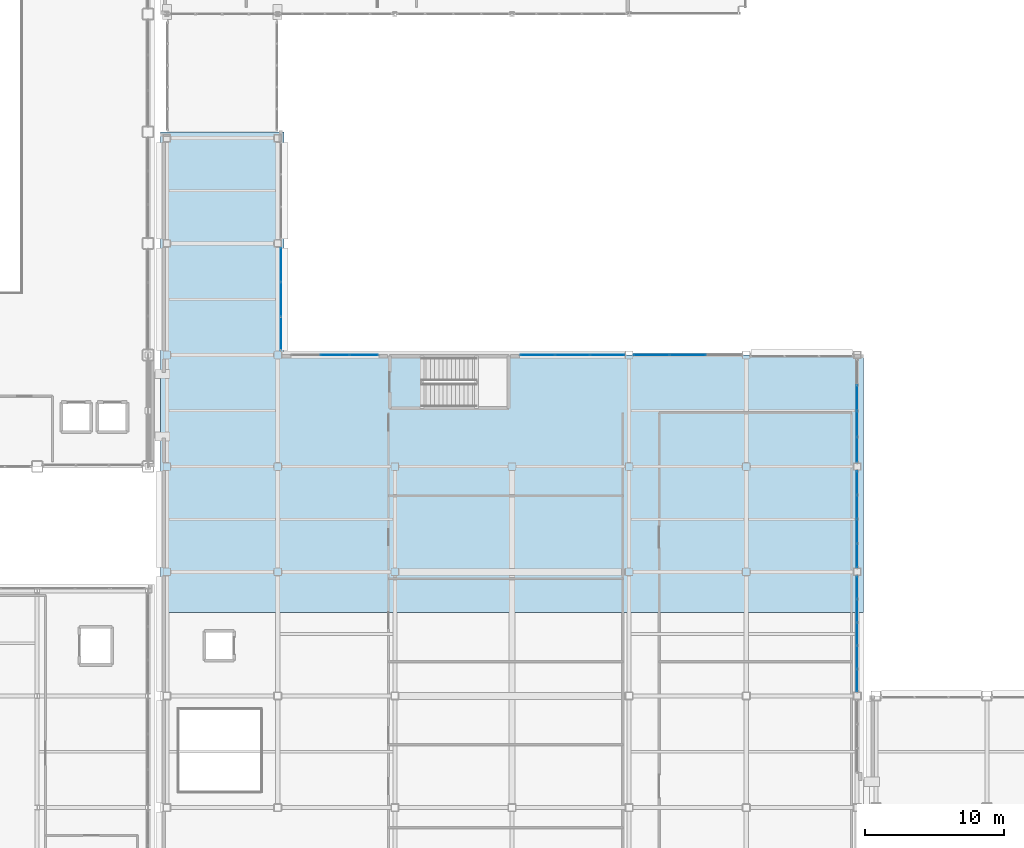
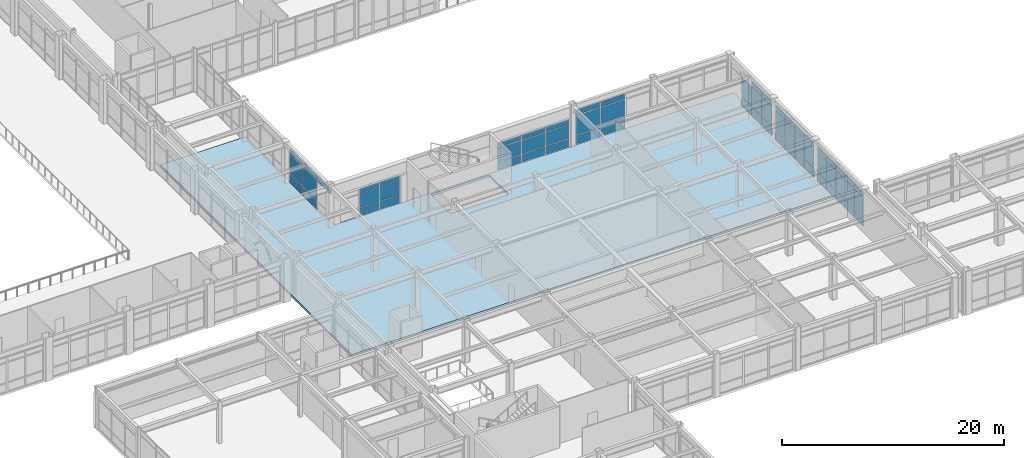
# One storey, part 119 of 154: 63 plates, 1 slab, 7 elements without a shape of their own.
"""IFC4 building model written with IfcOpenShell, lengths in metres."""

from ifc_helpers import new_model, si_unit, direction, frame, origin, origin_2d, place, context, subcontext, project, spatial, polyline, rectangle, outline, extrude, material, layer, layer_set, type_object, element, aggregate, save


model = new_model("IFC4")

# Units and contexts
model_context = context("Model", 3, precision=1e-05, world=origin(), true_north=direction((0.0, 1.0)))
body_context = subcontext(model_context, "Body", "Model", "MODEL_VIEW")
ifc_project = project(units=[si_unit("LENGTHUNIT", "METRE"), si_unit("AREAUNIT", "SQUARE_METRE"), si_unit("VOLUMEUNIT", "CUBIC_METRE"), si_unit("PLANEANGLEUNIT", "RADIAN"), si_unit("MASSUNIT", "GRAM", prefix="KILO")], contexts=[model_context])

# Site, building, storey
site_placement = place(None, origin())
site = spatial("IfcSite", under=ifc_project, at=site_placement, CompositionType="ELEMENT")
building_placement = place(site_placement, origin())
building = spatial("IfcBuilding", under=site, at=building_placement, Name="Kazehara Bluff Congress Hotel", CompositionType="ELEMENT")
storey_placement = place(building_placement, frame((0.0, 0.0, 10.199951171875)))
storey = spatial("IfcBuildingStorey", under=building, at=storey_placement, Name="L02", CompositionType="ELEMENT", Elevation=10.199951171875)

# Curtain wall, plates
ifc_material_1 = material(Name="Anodised aluminium", Category="aluminium")
ifc_layer_1 = layer(ifc_material_1, 0.159912109375)
ifc_layer_set_1 = layer_set([ifc_layer_1], Name="Anodised aluminium")
curtain_wall_type_1 = type_object("IfcCurtainWallType", Name="TP-CW-58", PredefinedType="NOTDEFINED", material=ifc_layer_set_1)
curtain_wall_1_placement = place(storey_placement, origin())
curtain_wall_1 = element("IfcCurtainWall", 1, at=curtain_wall_1_placement, inside=storey, type_object=curtain_wall_type_1, Name="L02 curtain wall CW-58 CW-V4-L02-X10920-3228", PredefinedType="NOTDEFINED")
ifc_material_2 = material(Name="Insulated low-E double glazing", Category="glass")
ifc_layer_2 = layer(ifc_material_2, 0.028076171875)
ifc_layer_set_2 = layer_set([ifc_layer_2], Name="Insulated low-E double glazing")
plate_type = type_object("IfcPlateType", Name="TP-CWP-01", PredefinedType="CURTAIN_PANEL", material=ifc_layer_set_2)
plate_1_placement = place(storey_placement, frame((109.199951171875, 33.126220703125, 0.06494140625), z_axis=(0.0, 0.0, 1.0), x_axis=(0.0, 1.0, 0.0)))
plate_1 = element("IfcPlate", 2, at=plate_1_placement, type_object=plate_type, Name="CW-58 panel 1.1", PredefinedType="CURTAIN_PANEL", context=body_context, shape_type="SweptSolid", body=[
    extrude(rectangle(XDim=1.572509765625, YDim=0.028076171875, at=origin_2d()), origin(), (0.0, 0.0, 1.0), 0.952392578125),
])
plate_2_placement = place(storey_placement, frame((109.199951171875, 33.126220703125, 1.08251953125), z_axis=(0.0, 0.0, 1.0), x_axis=(0.0, 1.0, 0.0)))
plate_2 = element("IfcPlate", 3, at=plate_2_placement, type_object=plate_type, Name="CW-58 panel 1.2", PredefinedType="CURTAIN_PANEL", context=body_context, shape_type="SweptSolid", body=[
    extrude(rectangle(XDim=1.572509765625, YDim=0.028076171875, at=origin_2d()), origin(), (0.0, 0.0, 1.0), 2.1201171875),
])
plate_3_placement = place(storey_placement, frame((109.199951171875, 33.126220703125, 3.267578125), z_axis=(0.0, 0.0, 1.0), x_axis=(0.0, 1.0, 0.0)))
plate_3 = element("IfcPlate", 4, at=plate_3_placement, type_object=plate_type, Name="CW-58 panel 1.3", PredefinedType="CURTAIN_PANEL", context=body_context, shape_type="SweptSolid", body=[
    extrude(rectangle(XDim=1.572509765625, YDim=0.028076171875, at=origin_2d()), origin(), (0.0, 0.0, 1.0), 0.552490234375),
])
plate_4_placement = place(storey_placement, frame((109.199951171875, 34.780029296875, 0.06494140625), z_axis=(0.0, 0.0, 1.0), x_axis=(0.0, 1.0, 0.0)))
plate_4 = element("IfcPlate", 5, at=plate_4_placement, type_object=plate_type, Name="CW-58 panel 2.1", PredefinedType="CURTAIN_PANEL", context=body_context, shape_type="SweptSolid", body=[
    extrude(rectangle(XDim=1.60498046875, YDim=0.028076171875, at=origin_2d()), origin(), (0.0, 0.0, 1.0), 0.952392578125),
])
plate_5_placement = place(storey_placement, frame((109.199951171875, 34.780029296875, 1.08251953125), z_axis=(0.0, 0.0, 1.0), x_axis=(0.0, 1.0, 0.0)))
plate_5 = element("IfcPlate", 6, at=plate_5_placement, type_object=plate_type, Name="CW-58 panel 2.2", PredefinedType="CURTAIN_PANEL", context=body_context, shape_type="SweptSolid", body=[
    extrude(rectangle(XDim=1.60498046875, YDim=0.028076171875, at=origin_2d()), origin(), (0.0, 0.0, 1.0), 2.1201171875),
])
plate_6_placement = place(storey_placement, frame((109.199951171875, 34.780029296875, 3.267578125), z_axis=(0.0, 0.0, 1.0), x_axis=(0.0, 1.0, 0.0)))
plate_6 = element("IfcPlate", 7, at=plate_6_placement, type_object=plate_type, Name="CW-58 panel 2.3", PredefinedType="CURTAIN_PANEL", context=body_context, shape_type="SweptSolid", body=[
    extrude(rectangle(XDim=1.60498046875, YDim=0.028076171875, at=origin_2d()), origin(), (0.0, 0.0, 1.0), 0.552490234375),
])
plate_7_placement = place(storey_placement, frame((109.199951171875, 36.449951171875, 0.06494140625), z_axis=(0.0, 0.0, 1.0), x_axis=(0.0, 1.0, 0.0)))
plate_7 = element("IfcPlate", 8, at=plate_7_placement, type_object=plate_type, Name="CW-58 panel 3.1", PredefinedType="CURTAIN_PANEL", context=body_context, shape_type="SweptSolid", body=[
    extrude(rectangle(XDim=1.60498046875, YDim=0.028076171875, at=origin_2d()), origin(), (0.0, 0.0, 1.0), 0.952392578125),
])
plate_8_placement = place(storey_placement, frame((109.199951171875, 36.449951171875, 1.08251953125), z_axis=(0.0, 0.0, 1.0), x_axis=(0.0, 1.0, 0.0)))
plate_8 = element("IfcPlate", 9, at=plate_8_placement, type_object=plate_type, Name="CW-58 panel 3.2", PredefinedType="CURTAIN_PANEL", context=body_context, shape_type="SweptSolid", body=[
    extrude(rectangle(XDim=1.60498046875, YDim=0.028076171875, at=origin_2d()), origin(), (0.0, 0.0, 1.0), 2.1201171875),
])
plate_9_placement = place(storey_placement, frame((109.199951171875, 36.449951171875, 3.267578125), z_axis=(0.0, 0.0, 1.0), x_axis=(0.0, 1.0, 0.0)))
plate_9 = element("IfcPlate", 10, at=plate_9_placement, type_object=plate_type, Name="CW-58 panel 3.3", PredefinedType="CURTAIN_PANEL", context=body_context, shape_type="SweptSolid", body=[
    extrude(rectangle(XDim=1.60498046875, YDim=0.028076171875, at=origin_2d()), origin(), (0.0, 0.0, 1.0), 0.552490234375),
])
plate_10_placement = place(storey_placement, frame((109.199951171875, 38.1201171875, 0.06494140625), z_axis=(0.0, 0.0, 1.0), x_axis=(0.0, 1.0, 0.0)))
plate_10 = element("IfcPlate", 11, at=plate_10_placement, type_object=plate_type, Name="CW-58 panel 4.1", PredefinedType="CURTAIN_PANEL", context=body_context, shape_type="SweptSolid", body=[
    extrude(rectangle(XDim=1.60498046875, YDim=0.028076171875, at=origin_2d()), origin(), (0.0, 0.0, 1.0), 0.952392578125),
])
plate_11_placement = place(storey_placement, frame((109.199951171875, 38.1201171875, 1.08251953125), z_axis=(0.0, 0.0, 1.0), x_axis=(0.0, 1.0, 0.0)))
plate_11 = element("IfcPlate", 12, at=plate_11_placement, type_object=plate_type, Name="CW-58 panel 4.2", PredefinedType="CURTAIN_PANEL", context=body_context, shape_type="SweptSolid", body=[
    extrude(rectangle(XDim=1.60498046875, YDim=0.028076171875, at=origin_2d()), origin(), (0.0, 0.0, 1.0), 2.1201171875),
])
plate_12_placement = place(storey_placement, frame((109.199951171875, 38.1201171875, 3.267578125), z_axis=(0.0, 0.0, 1.0), x_axis=(0.0, 1.0, 0.0)))
plate_12 = element("IfcPlate", 13, at=plate_12_placement, type_object=plate_type, Name="CW-58 panel 4.3", PredefinedType="CURTAIN_PANEL", context=body_context, shape_type="SweptSolid", body=[
    extrude(rectangle(XDim=1.60498046875, YDim=0.028076171875, at=origin_2d()), origin(), (0.0, 0.0, 1.0), 0.552490234375),
])
plate_13_placement = place(storey_placement, frame((109.199951171875, 39.773681640625, 0.06494140625), z_axis=(0.0, 0.0, 1.0), x_axis=(0.0, 1.0, 0.0)))
plate_13 = element("IfcPlate", 14, at=plate_13_placement, type_object=plate_type, Name="CW-58 panel 5.1", PredefinedType="CURTAIN_PANEL", context=body_context, shape_type="SweptSolid", body=[
    extrude(rectangle(XDim=1.572509765625, YDim=0.028076171875, at=origin_2d()), origin(), (0.0, 0.0, 1.0), 0.952392578125),
])
plate_14_placement = place(storey_placement, frame((109.199951171875, 39.773681640625, 1.08251953125), z_axis=(0.0, 0.0, 1.0), x_axis=(0.0, 1.0, 0.0)))
plate_14 = element("IfcPlate", 15, at=plate_14_placement, type_object=plate_type, Name="CW-58 panel 5.2", PredefinedType="CURTAIN_PANEL", context=body_context, shape_type="SweptSolid", body=[
    extrude(rectangle(XDim=1.572509765625, YDim=0.028076171875, at=origin_2d()), origin(), (0.0, 0.0, 1.0), 2.1201171875),
])
plate_15_placement = place(storey_placement, frame((109.199951171875, 39.773681640625, 3.267578125), z_axis=(0.0, 0.0, 1.0), x_axis=(0.0, 1.0, 0.0)))
plate_15 = element("IfcPlate", 16, at=plate_15_placement, type_object=plate_type, Name="CW-58 panel 5.3", PredefinedType="CURTAIN_PANEL", context=body_context, shape_type="SweptSolid", body=[
    extrude(rectangle(XDim=1.572509765625, YDim=0.028076171875, at=origin_2d()), origin(), (0.0, 0.0, 1.0), 0.552490234375),
])
aggregate(curtain_wall_1, [plate_1, plate_2, plate_3, plate_4, plate_5, plate_6, plate_7, plate_8, plate_9, plate_10, plate_11, plate_12, plate_13, plate_14, plate_15])

ifc_material_3 = material(Name="Anodised aluminium", Category="aluminium")
ifc_layer_3 = layer(ifc_material_3, 0.159912109375)
ifc_layer_set_3 = layer_set([ifc_layer_3], Name="Anodised aluminium")
curtain_wall_type_2 = type_object("IfcCurtainWallType", Name="TP-CW-59", PredefinedType="NOTDEFINED", material=ifc_layer_set_3)
curtain_wall_2_placement = place(storey_placement, origin())
curtain_wall_2 = element("IfcCurtainWall", 17, at=curtain_wall_2_placement, inside=storey, type_object=curtain_wall_type_2, Name="L02 curtain wall CW-59 CW-V4-L02-X10920-4118", PredefinedType="NOTDEFINED")
plate_16_placement = place(storey_placement, frame((109.199951171875, 42.066162109375, 0.06494140625), z_axis=(0.0, 0.0, 1.0), x_axis=(0.0, 1.0, 0.0)))
plate_16 = element("IfcPlate", 18, at=plate_16_placement, type_object=plate_type, Name="CW-59 panel 1.1", PredefinedType="CURTAIN_PANEL", context=body_context, shape_type="SweptSolid", body=[
    extrude(rectangle(XDim=1.652587890625, YDim=0.028076171875, at=origin_2d()), origin(), (0.0, 0.0, 1.0), 0.952392578125),
])
plate_17_placement = place(storey_placement, frame((109.199951171875, 42.066162109375, 1.08251953125), z_axis=(0.0, 0.0, 1.0), x_axis=(0.0, 1.0, 0.0)))
plate_17 = element("IfcPlate", 19, at=plate_17_placement, type_object=plate_type, Name="CW-59 panel 1.2", PredefinedType="CURTAIN_PANEL", context=body_context, shape_type="SweptSolid", body=[
    extrude(rectangle(XDim=1.652587890625, YDim=0.028076171875, at=origin_2d()), origin(), (0.0, 0.0, 1.0), 2.1201171875),
])
plate_18_placement = place(storey_placement, frame((109.199951171875, 42.066162109375, 3.267578125), z_axis=(0.0, 0.0, 1.0), x_axis=(0.0, 1.0, 0.0)))
plate_18 = element("IfcPlate", 20, at=plate_18_placement, type_object=plate_type, Name="CW-59 panel 1.3", PredefinedType="CURTAIN_PANEL", context=body_context, shape_type="SweptSolid", body=[
    extrude(rectangle(XDim=1.652587890625, YDim=0.028076171875, at=origin_2d()), origin(), (0.0, 0.0, 1.0), 0.552490234375),
])
plate_19_placement = place(storey_placement, frame((109.199951171875, 43.800048828125, 0.06494140625), z_axis=(0.0, 0.0, 1.0), x_axis=(0.0, 1.0, 0.0)))
plate_19 = element("IfcPlate", 21, at=plate_19_placement, type_object=plate_type, Name="CW-59 panel 2.1", PredefinedType="CURTAIN_PANEL", context=body_context, shape_type="SweptSolid", body=[
    extrude(rectangle(XDim=1.68505859375, YDim=0.028076171875, at=origin_2d()), origin(), (0.0, 0.0, 1.0), 0.952392578125),
])
plate_20_placement = place(storey_placement, frame((109.199951171875, 43.800048828125, 1.08251953125), z_axis=(0.0, 0.0, 1.0), x_axis=(0.0, 1.0, 0.0)))
plate_20 = element("IfcPlate", 22, at=plate_20_placement, type_object=plate_type, Name="CW-59 panel 2.2", PredefinedType="CURTAIN_PANEL", context=body_context, shape_type="SweptSolid", body=[
    extrude(rectangle(XDim=1.68505859375, YDim=0.028076171875, at=origin_2d()), origin(), (0.0, 0.0, 1.0), 2.1201171875),
])
plate_21_placement = place(storey_placement, frame((109.199951171875, 43.800048828125, 3.267578125), z_axis=(0.0, 0.0, 1.0), x_axis=(0.0, 1.0, 0.0)))
plate_21 = element("IfcPlate", 23, at=plate_21_placement, type_object=plate_type, Name="CW-59 panel 2.3", PredefinedType="CURTAIN_PANEL", context=body_context, shape_type="SweptSolid", body=[
    extrude(rectangle(XDim=1.68505859375, YDim=0.028076171875, at=origin_2d()), origin(), (0.0, 0.0, 1.0), 0.552490234375),
])
plate_22_placement = place(storey_placement, frame((109.199951171875, 45.550048828125, 0.06494140625), z_axis=(0.0, 0.0, 1.0), x_axis=(0.0, 1.0, 0.0)))
plate_22 = element("IfcPlate", 24, at=plate_22_placement, type_object=plate_type, Name="CW-59 panel 3.1", PredefinedType="CURTAIN_PANEL", context=body_context, shape_type="SweptSolid", body=[
    extrude(rectangle(XDim=1.68505859375, YDim=0.028076171875, at=origin_2d()), origin(), (0.0, 0.0, 1.0), 0.952392578125),
])
plate_23_placement = place(storey_placement, frame((109.199951171875, 45.550048828125, 1.08251953125), z_axis=(0.0, 0.0, 1.0), x_axis=(0.0, 1.0, 0.0)))
plate_23 = element("IfcPlate", 25, at=plate_23_placement, type_object=plate_type, Name="CW-59 panel 3.2", PredefinedType="CURTAIN_PANEL", context=body_context, shape_type="SweptSolid", body=[
    extrude(rectangle(XDim=1.68505859375, YDim=0.028076171875, at=origin_2d()), origin(), (0.0, 0.0, 1.0), 2.1201171875),
])
plate_24_placement = place(storey_placement, frame((109.199951171875, 45.550048828125, 3.267578125), z_axis=(0.0, 0.0, 1.0), x_axis=(0.0, 1.0, 0.0)))
plate_24 = element("IfcPlate", 26, at=plate_24_placement, type_object=plate_type, Name="CW-59 panel 3.3", PredefinedType="CURTAIN_PANEL", context=body_context, shape_type="SweptSolid", body=[
    extrude(rectangle(XDim=1.68505859375, YDim=0.028076171875, at=origin_2d()), origin(), (0.0, 0.0, 1.0), 0.552490234375),
])
plate_25_placement = place(storey_placement, frame((109.199951171875, 47.28369140625, 0.06494140625), z_axis=(0.0, 0.0, 1.0), x_axis=(0.0, 1.0, 0.0)))
plate_25 = element("IfcPlate", 27, at=plate_25_placement, type_object=plate_type, Name="CW-59 panel 4.1", PredefinedType="CURTAIN_PANEL", context=body_context, shape_type="SweptSolid", body=[
    extrude(rectangle(XDim=1.652587890625, YDim=0.028076171875, at=origin_2d()), origin(), (0.0, 0.0, 1.0), 0.952392578125),
])
plate_26_placement = place(storey_placement, frame((109.199951171875, 47.28369140625, 1.08251953125), z_axis=(0.0, 0.0, 1.0), x_axis=(0.0, 1.0, 0.0)))
plate_26 = element("IfcPlate", 28, at=plate_26_placement, type_object=plate_type, Name="CW-59 panel 4.2", PredefinedType="CURTAIN_PANEL", context=body_context, shape_type="SweptSolid", body=[
    extrude(rectangle(XDim=1.652587890625, YDim=0.028076171875, at=origin_2d()), origin(), (0.0, 0.0, 1.0), 2.1201171875),
])
plate_27_placement = place(storey_placement, frame((109.199951171875, 47.28369140625, 3.267578125), z_axis=(0.0, 0.0, 1.0), x_axis=(0.0, 1.0, 0.0)))
plate_27 = element("IfcPlate", 29, at=plate_27_placement, type_object=plate_type, Name="CW-59 panel 4.3", PredefinedType="CURTAIN_PANEL", context=body_context, shape_type="SweptSolid", body=[
    extrude(rectangle(XDim=1.652587890625, YDim=0.028076171875, at=origin_2d()), origin(), (0.0, 0.0, 1.0), 0.552490234375),
])
aggregate(curtain_wall_2, [plate_16, plate_17, plate_18, plate_19, plate_20, plate_21, plate_22, plate_23, plate_24, plate_25, plate_26, plate_27])

ifc_material_4 = material(Name="Anodised aluminium", Category="aluminium")
ifc_layer_4 = layer(ifc_material_4, 0.159912109375)
ifc_layer_set_4 = layer_set([ifc_layer_4], Name="Anodised aluminium")
curtain_wall_type_3 = type_object("IfcCurtainWallType", Name="TP-CW-60", PredefinedType="NOTDEFINED", material=ifc_layer_set_4)
curtain_wall_3_placement = place(storey_placement, origin())
curtain_wall_3 = element("IfcCurtainWall", 30, at=curtain_wall_3_placement, inside=storey, type_object=curtain_wall_type_3, Name="L02 curtain wall CW-60 CW-V4-L02-X10920-4872", PredefinedType="NOTDEFINED")
plate_28_placement = place(storey_placement, frame((109.199951171875, 49.672607421875, 0.06494140625), z_axis=(0.0, 0.0, 1.0), x_axis=(0.0, 1.0, 0.0)))
plate_28 = element("IfcPlate", 31, at=plate_28_placement, type_object=plate_type, Name="CW-60 panel 1.1", PredefinedType="CURTAIN_PANEL", context=body_context, shape_type="SweptSolid", body=[
    extrude(rectangle(XDim=1.764892578125, YDim=0.028076171875, at=origin_2d()), origin(), (0.0, 0.0, 1.0), 0.952392578125),
])
plate_29_placement = place(storey_placement, frame((109.199951171875, 49.672607421875, 1.08251953125), z_axis=(0.0, 0.0, 1.0), x_axis=(0.0, 1.0, 0.0)))
plate_29 = element("IfcPlate", 32, at=plate_29_placement, type_object=plate_type, Name="CW-60 panel 1.2", PredefinedType="CURTAIN_PANEL", context=body_context, shape_type="SweptSolid", body=[
    extrude(rectangle(XDim=1.764892578125, YDim=0.028076171875, at=origin_2d()), origin(), (0.0, 0.0, 1.0), 2.1201171875),
])
plate_30_placement = place(storey_placement, frame((109.199951171875, 49.672607421875, 3.267578125), z_axis=(0.0, 0.0, 1.0), x_axis=(0.0, 1.0, 0.0)))
plate_30 = element("IfcPlate", 33, at=plate_30_placement, type_object=plate_type, Name="CW-60 panel 1.3", PredefinedType="CURTAIN_PANEL", context=body_context, shape_type="SweptSolid", body=[
    extrude(rectangle(XDim=1.764892578125, YDim=0.028076171875, at=origin_2d()), origin(), (0.0, 0.0, 1.0), 0.552490234375),
])
plate_31_placement = place(storey_placement, frame((109.199951171875, 51.518798828125, 0.06494140625), z_axis=(0.0, 0.0, 1.0), x_axis=(0.0, 1.0, 0.0)))
plate_31 = element("IfcPlate", 34, at=plate_31_placement, type_object=plate_type, Name="CW-60 panel 2.1", PredefinedType="CURTAIN_PANEL", context=body_context, shape_type="SweptSolid", body=[
    extrude(rectangle(XDim=1.797607421875, YDim=0.028076171875, at=origin_2d()), origin(), (0.0, 0.0, 1.0), 0.952392578125),
])
plate_32_placement = place(storey_placement, frame((109.199951171875, 51.518798828125, 1.08251953125), z_axis=(0.0, 0.0, 1.0), x_axis=(0.0, 1.0, 0.0)))
plate_32 = element("IfcPlate", 35, at=plate_32_placement, type_object=plate_type, Name="CW-60 panel 2.2", PredefinedType="CURTAIN_PANEL", context=body_context, shape_type="SweptSolid", body=[
    extrude(rectangle(XDim=1.797607421875, YDim=0.028076171875, at=origin_2d()), origin(), (0.0, 0.0, 1.0), 2.1201171875),
])
plate_33_placement = place(storey_placement, frame((109.199951171875, 51.518798828125, 3.267578125), z_axis=(0.0, 0.0, 1.0), x_axis=(0.0, 1.0, 0.0)))
plate_33 = element("IfcPlate", 36, at=plate_33_placement, type_object=plate_type, Name="CW-60 panel 2.3", PredefinedType="CURTAIN_PANEL", context=body_context, shape_type="SweptSolid", body=[
    extrude(rectangle(XDim=1.797607421875, YDim=0.028076171875, at=origin_2d()), origin(), (0.0, 0.0, 1.0), 0.552490234375),
])
plate_34_placement = place(storey_placement, frame((109.199951171875, 53.38134765625, 0.06494140625), z_axis=(0.0, 0.0, 1.0), x_axis=(0.0, 1.0, 0.0)))
plate_34 = element("IfcPlate", 37, at=plate_34_placement, type_object=plate_type, Name="CW-60 panel 3.1", PredefinedType="CURTAIN_PANEL", context=body_context, shape_type="SweptSolid", body=[
    extrude(rectangle(XDim=1.797607421875, YDim=0.028076171875, at=origin_2d()), origin(), (0.0, 0.0, 1.0), 0.952392578125),
])
plate_35_placement = place(storey_placement, frame((109.199951171875, 53.38134765625, 1.08251953125), z_axis=(0.0, 0.0, 1.0), x_axis=(0.0, 1.0, 0.0)))
plate_35 = element("IfcPlate", 38, at=plate_35_placement, type_object=plate_type, Name="CW-60 panel 3.2", PredefinedType="CURTAIN_PANEL", context=body_context, shape_type="SweptSolid", body=[
    extrude(rectangle(XDim=1.797607421875, YDim=0.028076171875, at=origin_2d()), origin(), (0.0, 0.0, 1.0), 2.1201171875),
])
aggregate(curtain_wall_3, [plate_28, plate_29, plate_30, plate_31, plate_32, plate_33, plate_34, plate_35])

ifc_material_5 = material(Name="Anodised aluminium", Category="aluminium")
ifc_layer_5 = layer(ifc_material_5, 0.159912109375)
ifc_layer_set_5 = layer_set([ifc_layer_5], Name="Anodised aluminium")
curtain_wall_type_4 = type_object("IfcCurtainWallType", Name="TP-CW-72", PredefinedType="NOTDEFINED", material=ifc_layer_set_5)
curtain_wall_4_placement = place(storey_placement, origin())
curtain_wall_4 = element("IfcCurtainWall", 39, at=curtain_wall_4_placement, inside=storey, type_object=curtain_wall_type_4, Name="L02 curtain wall CW-72 CW-V4-L02-Y5645-6860", PredefinedType="NOTDEFINED")
plate_36_placement = place(storey_placement, frame((71.75, 56.449951171875, 0.06005859375), z_axis=(0.0, 0.0, 1.0), x_axis=(1.0, 0.0, 0.0)))
plate_36 = element("IfcPlate", 40, at=plate_36_placement, type_object=plate_type, Name="CW-72 panel 2.1", PredefinedType="CURTAIN_PANEL", context=body_context, shape_type="SweptSolid", body=[
    extrude(rectangle(XDim=2.0400390625, YDim=0.028076171875, at=origin_2d()), origin(), (0.0, 0.0, 1.0), 0.85009765625),
])
plate_37_placement = place(storey_placement, frame((71.75, 56.449951171875, 0.97021484375), z_axis=(0.0, 0.0, 1.0), x_axis=(1.0, 0.0, 0.0)))
plate_37 = element("IfcPlate", 41, at=plate_37_placement, type_object=plate_type, Name="CW-72 panel 2.2", PredefinedType="CURTAIN_PANEL", context=body_context, shape_type="SweptSolid", body=[
    extrude(rectangle(XDim=2.0400390625, YDim=0.028076171875, at=origin_2d()), origin(), (0.0, 0.0, 1.0), 1.485107421875),
])
plate_38_placement = place(storey_placement, frame((71.75, 56.449951171875, 2.51513671875), z_axis=(0.0, 0.0, 1.0), x_axis=(1.0, 0.0, 0.0)))
plate_38 = element("IfcPlate", 42, at=plate_38_placement, type_object=plate_type, Name="CW-72 panel 2.3", PredefinedType="CURTAIN_PANEL", context=body_context, shape_type="SweptSolid", body=[
    extrude(rectangle(XDim=2.0400390625, YDim=0.028076171875, at=origin_2d()), origin(), (0.0, 0.0, 1.0), 0.56005859375),
])
plate_39_placement = place(storey_placement, frame((73.8349609375, 56.449951171875, 0.06005859375), z_axis=(0.0, 0.0, 1.0), x_axis=(1.0, 0.0, 0.0)))
plate_39 = element("IfcPlate", 43, at=plate_39_placement, type_object=plate_type, Name="CW-72 panel 3.1", PredefinedType="CURTAIN_PANEL", context=body_context, shape_type="SweptSolid", body=[
    extrude(rectangle(XDim=2.010009765625, YDim=0.028076171875, at=origin_2d()), origin(), (0.0, 0.0, 1.0), 0.85009765625),
])
plate_40_placement = place(storey_placement, frame((73.8349609375, 56.449951171875, 0.97021484375), z_axis=(0.0, 0.0, 1.0), x_axis=(1.0, 0.0, 0.0)))
plate_40 = element("IfcPlate", 44, at=plate_40_placement, type_object=plate_type, Name="CW-72 panel 3.2", PredefinedType="CURTAIN_PANEL", context=body_context, shape_type="SweptSolid", body=[
    extrude(rectangle(XDim=2.010009765625, YDim=0.028076171875, at=origin_2d()), origin(), (0.0, 0.0, 1.0), 1.485107421875),
])
plate_41_placement = place(storey_placement, frame((73.8349609375, 56.449951171875, 2.51513671875), z_axis=(0.0, 0.0, 1.0), x_axis=(1.0, 0.0, 0.0)))
plate_41 = element("IfcPlate", 45, at=plate_41_placement, type_object=plate_type, Name="CW-72 panel 3.3", PredefinedType="CURTAIN_PANEL", context=body_context, shape_type="SweptSolid", body=[
    extrude(rectangle(XDim=2.010009765625, YDim=0.028076171875, at=origin_2d()), origin(), (0.0, 0.0, 1.0), 0.56005859375),
])
aggregate(curtain_wall_4, [plate_36, plate_37, plate_38, plate_39, plate_40, plate_41])

ifc_material_6 = material(Name="Anodised aluminium", Category="aluminium")
ifc_layer_6 = layer(ifc_material_6, 0.159912109375)
ifc_layer_set_6 = layer_set([ifc_layer_6], Name="Anodised aluminium")
curtain_wall_type_5 = type_object("IfcCurtainWallType", Name="TP-CW-73", PredefinedType="NOTDEFINED", material=ifc_layer_set_6)
curtain_wall_5_placement = place(storey_placement, origin())
curtain_wall_5 = element("IfcCurtainWall", 46, at=curtain_wall_5_placement, inside=storey, type_object=curtain_wall_type_5, Name="L02 curtain wall CW-73 CW-V4-L02-Y5645-8500", PredefinedType="NOTDEFINED")
plate_42_placement = place(storey_placement, frame((86.27880859375, 56.449951171875, 0.06494140625), z_axis=(0.0, 0.0, 1.0), x_axis=(1.0, 0.0, 0.0)))
plate_42 = element("IfcPlate", 47, at=plate_42_placement, type_object=plate_type, Name="CW-73 panel 1.1", PredefinedType="CURTAIN_PANEL", context=body_context, shape_type="SweptSolid", body=[
    extrude(rectangle(XDim=2.427490234375, YDim=0.028076171875, at=origin_2d()), origin(), (0.0, 0.0, 1.0), 0.842529296875),
])
plate_43_placement = place(storey_placement, frame((86.27880859375, 56.449951171875, 0.97265625), z_axis=(0.0, 0.0, 1.0), x_axis=(1.0, 0.0, 0.0)))
plate_43 = element("IfcPlate", 48, at=plate_43_placement, type_object=plate_type, Name="CW-73 panel 1.2", PredefinedType="CURTAIN_PANEL", context=body_context, shape_type="SweptSolid", body=[
    extrude(rectangle(XDim=2.427490234375, YDim=0.028076171875, at=origin_2d()), origin(), (0.0, 0.0, 1.0), 1.47998046875),
])
plate_44_placement = place(storey_placement, frame((86.27880859375, 56.449951171875, 2.517578125), z_axis=(0.0, 0.0, 1.0), x_axis=(1.0, 0.0, 0.0)))
plate_44 = element("IfcPlate", 49, at=plate_44_placement, type_object=plate_type, Name="CW-73 panel 1.3", PredefinedType="CURTAIN_PANEL", context=body_context, shape_type="SweptSolid", body=[
    extrude(rectangle(XDim=2.427490234375, YDim=0.028076171875, at=origin_2d()), origin(), (0.0, 0.0, 1.0), 0.552490234375),
])
plate_45_placement = place(storey_placement, frame((88.78759765625, 56.449951171875, 0.06494140625), z_axis=(0.0, 0.0, 1.0), x_axis=(1.0, 0.0, 0.0)))
plate_45 = element("IfcPlate", 50, at=plate_45_placement, type_object=plate_type, Name="CW-73 panel 2.1", PredefinedType="CURTAIN_PANEL", context=body_context, shape_type="SweptSolid", body=[
    extrude(rectangle(XDim=2.4599609375, YDim=0.028076171875, at=origin_2d()), origin(), (0.0, 0.0, 1.0), 0.842529296875),
])
plate_46_placement = place(storey_placement, frame((88.78759765625, 56.449951171875, 0.97265625), z_axis=(0.0, 0.0, 1.0), x_axis=(1.0, 0.0, 0.0)))
plate_46 = element("IfcPlate", 51, at=plate_46_placement, type_object=plate_type, Name="CW-73 panel 2.2", PredefinedType="CURTAIN_PANEL", context=body_context, shape_type="SweptSolid", body=[
    extrude(rectangle(XDim=2.4599609375, YDim=0.028076171875, at=origin_2d()), origin(), (0.0, 0.0, 1.0), 1.47998046875),
])
plate_47_placement = place(storey_placement, frame((88.78759765625, 56.449951171875, 2.517578125), z_axis=(0.0, 0.0, 1.0), x_axis=(1.0, 0.0, 0.0)))
plate_47 = element("IfcPlate", 52, at=plate_47_placement, type_object=plate_type, Name="CW-73 panel 2.3", PredefinedType="CURTAIN_PANEL", context=body_context, shape_type="SweptSolid", body=[
    extrude(rectangle(XDim=2.4599609375, YDim=0.028076171875, at=origin_2d()), origin(), (0.0, 0.0, 1.0), 0.552490234375),
])
plate_48_placement = place(storey_placement, frame((91.296142578125, 56.449951171875, 0.06494140625), z_axis=(0.0, 0.0, 1.0), x_axis=(1.0, 0.0, 0.0)))
plate_48 = element("IfcPlate", 53, at=plate_48_placement, type_object=plate_type, Name="CW-73 panel 3.1", PredefinedType="CURTAIN_PANEL", context=body_context, shape_type="SweptSolid", body=[
    extrude(rectangle(XDim=2.427490234375, YDim=0.028076171875, at=origin_2d()), origin(), (0.0, 0.0, 1.0), 0.842529296875),
])
plate_49_placement = place(storey_placement, frame((91.296142578125, 56.449951171875, 0.97265625), z_axis=(0.0, 0.0, 1.0), x_axis=(1.0, 0.0, 0.0)))
plate_49 = element("IfcPlate", 54, at=plate_49_placement, type_object=plate_type, Name="CW-73 panel 3.2", PredefinedType="CURTAIN_PANEL", context=body_context, shape_type="SweptSolid", body=[
    extrude(rectangle(XDim=2.427490234375, YDim=0.028076171875, at=origin_2d()), origin(), (0.0, 0.0, 1.0), 1.47998046875),
])
plate_50_placement = place(storey_placement, frame((91.296142578125, 56.449951171875, 2.517578125), z_axis=(0.0, 0.0, 1.0), x_axis=(1.0, 0.0, 0.0)))
plate_50 = element("IfcPlate", 55, at=plate_50_placement, type_object=plate_type, Name="CW-73 panel 3.3", PredefinedType="CURTAIN_PANEL", context=body_context, shape_type="SweptSolid", body=[
    extrude(rectangle(XDim=2.427490234375, YDim=0.028076171875, at=origin_2d()), origin(), (0.0, 0.0, 1.0), 0.552490234375),
])
aggregate(curtain_wall_5, [plate_42, plate_43, plate_44, plate_45, plate_46, plate_47, plate_48, plate_49, plate_50])

ifc_material_7 = material(Name="Anodised aluminium", Category="aluminium")
ifc_layer_7 = layer(ifc_material_7, 0.159912109375)
ifc_layer_set_7 = layer_set([ifc_layer_7], Name="Anodised aluminium")
curtain_wall_type_6 = type_object("IfcCurtainWallType", Name="TP-CW-74", PredefinedType="NOTDEFINED", material=ifc_layer_set_7)
curtain_wall_6_placement = place(storey_placement, origin())
curtain_wall_6 = element("IfcCurtainWall", 56, at=curtain_wall_6_placement, inside=storey, type_object=curtain_wall_type_6, Name="L02 curtain wall CW-74 CW-V4-L02-Y5645-9312", PredefinedType="NOTDEFINED")
plate_51_placement = place(storey_placement, frame((94.449462890625, 56.449951171875, 0.06494140625), z_axis=(0.0, 0.0, 1.0), x_axis=(1.0, 0.0, 0.0)))
plate_51 = element("IfcPlate", 57, at=plate_51_placement, type_object=plate_type, Name="CW-74 panel 1.1", PredefinedType="CURTAIN_PANEL", context=body_context, shape_type="SweptSolid", body=[
    extrude(rectangle(XDim=2.519287109375, YDim=0.028076171875, at=origin_2d()), origin(), (0.0, 0.0, 1.0), 0.952392578125),
])
plate_52_placement = place(storey_placement, frame((94.449462890625, 56.449951171875, 1.08251953125), z_axis=(0.0, 0.0, 1.0), x_axis=(1.0, 0.0, 0.0)))
plate_52 = element("IfcPlate", 58, at=plate_52_placement, type_object=plate_type, Name="CW-74 panel 1.2", PredefinedType="CURTAIN_PANEL", context=body_context, shape_type="SweptSolid", body=[
    extrude(rectangle(XDim=2.519287109375, YDim=0.028076171875, at=origin_2d()), origin(), (0.0, 0.0, 1.0), 2.1201171875),
])
plate_53_placement = place(storey_placement, frame((94.449462890625, 56.449951171875, 3.267578125), z_axis=(0.0, 0.0, 1.0), x_axis=(1.0, 0.0, 0.0)))
plate_53 = element("IfcPlate", 59, at=plate_53_placement, type_object=plate_type, Name="CW-74 panel 1.3", PredefinedType="CURTAIN_PANEL", context=body_context, shape_type="SweptSolid", body=[
    extrude(rectangle(XDim=2.519287109375, YDim=0.028076171875, at=origin_2d()), origin(), (0.0, 0.0, 1.0), 0.552490234375),
])
plate_54_placement = place(storey_placement, frame((97.050048828125, 56.449951171875, 0.06494140625), z_axis=(0.0, 0.0, 1.0), x_axis=(1.0, 0.0, 0.0)))
plate_54 = element("IfcPlate", 60, at=plate_54_placement, type_object=plate_type, Name="CW-74 panel 2.1", PredefinedType="CURTAIN_PANEL", context=body_context, shape_type="SweptSolid", body=[
    extrude(rectangle(XDim=2.5517578125, YDim=0.028076171875, at=origin_2d()), origin(), (0.0, 0.0, 1.0), 0.952392578125),
])
plate_55_placement = place(storey_placement, frame((97.050048828125, 56.449951171875, 1.08251953125), z_axis=(0.0, 0.0, 1.0), x_axis=(1.0, 0.0, 0.0)))
plate_55 = element("IfcPlate", 61, at=plate_55_placement, type_object=plate_type, Name="CW-74 panel 2.2", PredefinedType="CURTAIN_PANEL", context=body_context, shape_type="SweptSolid", body=[
    extrude(rectangle(XDim=2.5517578125, YDim=0.028076171875, at=origin_2d()), origin(), (0.0, 0.0, 1.0), 2.1201171875),
])
plate_56_placement = place(storey_placement, frame((97.050048828125, 56.449951171875, 3.267578125), z_axis=(0.0, 0.0, 1.0), x_axis=(1.0, 0.0, 0.0)))
plate_56 = element("IfcPlate", 62, at=plate_56_placement, type_object=plate_type, Name="CW-74 panel 2.3", PredefinedType="CURTAIN_PANEL", context=body_context, shape_type="SweptSolid", body=[
    extrude(rectangle(XDim=2.5517578125, YDim=0.028076171875, at=origin_2d()), origin(), (0.0, 0.0, 1.0), 0.552490234375),
])
aggregate(curtain_wall_6, [plate_51, plate_52, plate_53, plate_54, plate_55, plate_56])

ifc_material_8 = material(Name="Anodised aluminium", Category="aluminium")
ifc_layer_8 = layer(ifc_material_8, 0.159912109375)
ifc_layer_set_8 = layer_set([ifc_layer_8], Name="Anodised aluminium")
curtain_wall_type_7 = type_object("IfcCurtainWallType", Name="TP-CW-140", PredefinedType="NOTDEFINED", material=ifc_layer_set_8)
curtain_wall_7_placement = place(storey_placement, origin())
curtain_wall_7 = element("IfcCurtainWall", 63, at=curtain_wall_7_placement, inside=storey, type_object=curtain_wall_type_7, Name="L02 curtain wall CW-140 CW-ENC-V4-L02-6788-6045", PredefinedType="NOTDEFINED")
plate_57_placement = place(storey_placement, frame((67.8798828125, 62.9169921875, 0.06494140625), z_axis=(0.0, 0.0, 1.0), x_axis=(0.0, -1.0, 0.0)))
plate_57 = element("IfcPlate", 64, at=plate_57_placement, type_object=plate_type, Name="CW-140 panel 1.1", PredefinedType="CURTAIN_PANEL", context=body_context, shape_type="SweptSolid", body=[
    extrude(rectangle(XDim=2.3857421875, YDim=0.028076171875, at=origin_2d()), origin(), (0.0, 0.0, 1.0), 0.952392578125),
])
plate_58_placement = place(storey_placement, frame((67.8798828125, 62.9169921875, 1.08251953125), z_axis=(0.0, 0.0, 1.0), x_axis=(0.0, -1.0, 0.0)))
plate_58 = element("IfcPlate", 65, at=plate_58_placement, type_object=plate_type, Name="CW-140 panel 1.2", PredefinedType="CURTAIN_PANEL", context=body_context, shape_type="SweptSolid", body=[
    extrude(rectangle(XDim=2.3857421875, YDim=0.028076171875, at=origin_2d()), origin(), (0.0, 0.0, 1.0), 2.1201171875),
])
plate_59_placement = place(storey_placement, frame((67.8798828125, 62.9169921875, 3.267578125), z_axis=(0.0, 0.0, 1.0), x_axis=(0.0, -1.0, 0.0)))
plate_59 = element("IfcPlate", 66, at=plate_59_placement, type_object=plate_type, Name="CW-140 panel 1.3", PredefinedType="CURTAIN_PANEL", context=body_context, shape_type="SweptSolid", body=[
    extrude(rectangle(XDim=2.3857421875, YDim=0.028076171875, at=origin_2d()), origin(), (0.0, 0.0, 1.0), 0.552490234375),
])
plate_60_placement = place(storey_placement, frame((67.8798828125, 60.449951171875, 0.06494140625), z_axis=(0.0, 0.0, 1.0), x_axis=(0.0, -1.0, 0.0)))
plate_60 = element("IfcPlate", 67, at=plate_60_placement, type_object=plate_type, Name="CW-140 panel 2.1", PredefinedType="CURTAIN_PANEL", context=body_context, shape_type="SweptSolid", body=[
    extrude(rectangle(XDim=2.418212890625, YDim=0.028076171875, at=origin_2d()), origin(), (0.0, 0.0, 1.0), 0.952392578125),
])
plate_61_placement = place(storey_placement, frame((67.8798828125, 60.449951171875, 1.08251953125), z_axis=(0.0, 0.0, 1.0), x_axis=(0.0, -1.0, 0.0)))
plate_61 = element("IfcPlate", 68, at=plate_61_placement, type_object=plate_type, Name="CW-140 panel 2.2", PredefinedType="CURTAIN_PANEL", context=body_context, shape_type="SweptSolid", body=[
    extrude(rectangle(XDim=2.418212890625, YDim=0.028076171875, at=origin_2d()), origin(), (0.0, 0.0, 1.0), 2.1201171875),
])
plate_62_placement = place(storey_placement, frame((67.8798828125, 60.449951171875, 3.267578125), z_axis=(0.0, 0.0, 1.0), x_axis=(0.0, -1.0, 0.0)))
plate_62 = element("IfcPlate", 69, at=plate_62_placement, type_object=plate_type, Name="CW-140 panel 2.3", PredefinedType="CURTAIN_PANEL", context=body_context, shape_type="SweptSolid", body=[
    extrude(rectangle(XDim=2.418212890625, YDim=0.028076171875, at=origin_2d()), origin(), (0.0, 0.0, 1.0), 0.552490234375),
])
plate_63_placement = place(storey_placement, frame((67.8798828125, 57.98291015625, 3.267578125), z_axis=(0.0, 0.0, 1.0), x_axis=(0.0, -1.0, 0.0)))
plate_63 = element("IfcPlate", 70, at=plate_63_placement, type_object=plate_type, Name="CW-140 panel 3.3", PredefinedType="CURTAIN_PANEL", context=body_context, shape_type="SweptSolid", body=[
    extrude(rectangle(XDim=2.3857421875, YDim=0.028076171875, at=origin_2d()), origin(), (0.0, 0.0, 1.0), 0.552490234375),
])
aggregate(curtain_wall_7, [plate_57, plate_58, plate_59, plate_60, plate_61, plate_62, plate_63])

# Slab
ifc_material_9 = material(Name="Concrete C36/45", Category="concrete")
ifc_layer_9 = layer(ifc_material_9, 0.25)
ifc_layer_set_9 = layer_set([ifc_layer_9], Name="Concrete C36/45")
slab_type = type_object("IfcSlabType", Name="TP-SL-250", PredefinedType="FLOOR", material=ifc_layer_set_9)
slab_placement = place(storey_placement, frame((0.0, 0.0, -0.25)))
element("IfcSlab", 71, at=slab_placement, inside=storey, type_object=slab_type, Name="L02 V4 composite floor slab N", PredefinedType="FLOOR", context=body_context, shape_type="SweptSolid", body=[
    extrude(outline(polyline([(59.25, 72.449951171875), (68.10009765625, 72.449951171875), (68.10009765625, 56.449951171875), (109.64990234375, 56.449951171875), (109.64990234375, 38.0), (59.25, 38.0), (59.25, 72.449951171875)]), holes=[polyline([(78.02490234375, 52.75), (84.10009765625, 52.75), (84.10009765625, 56.25), (78.02490234375, 56.25), (78.02490234375, 52.75)])]), origin(), (0.0, 0.0, 1.0), 0.25),
])

save(model, "model.ifc")
